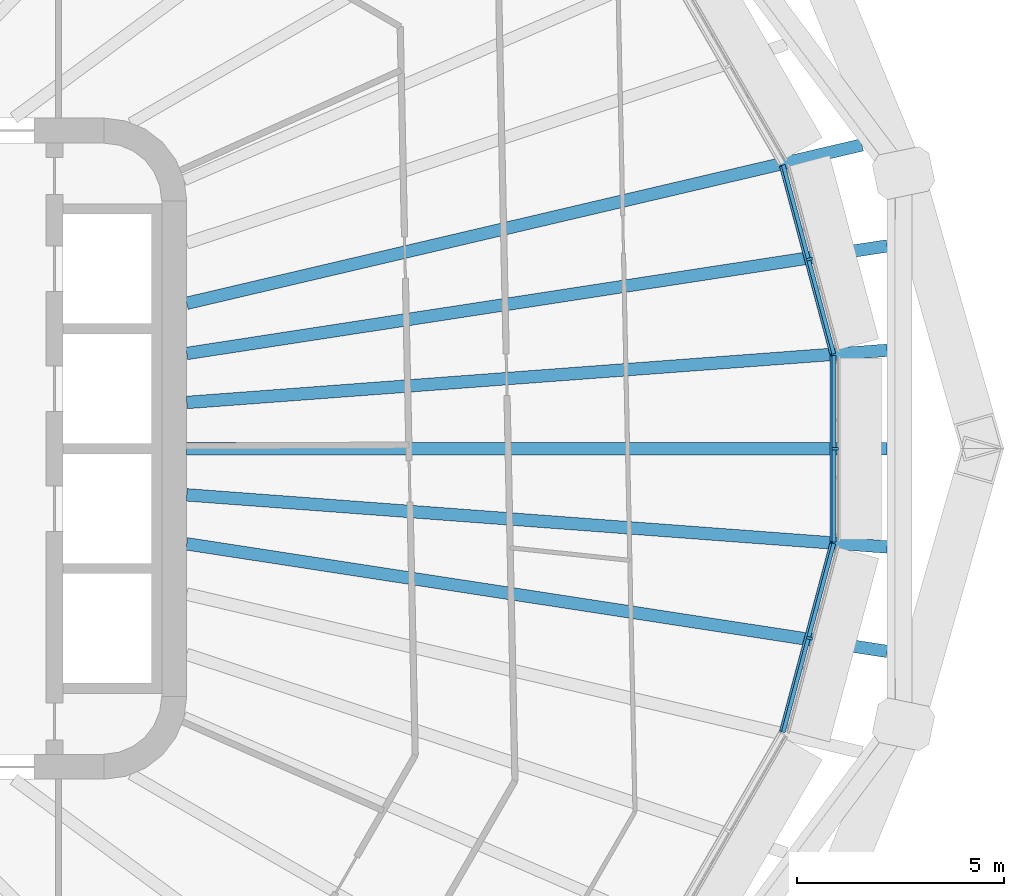
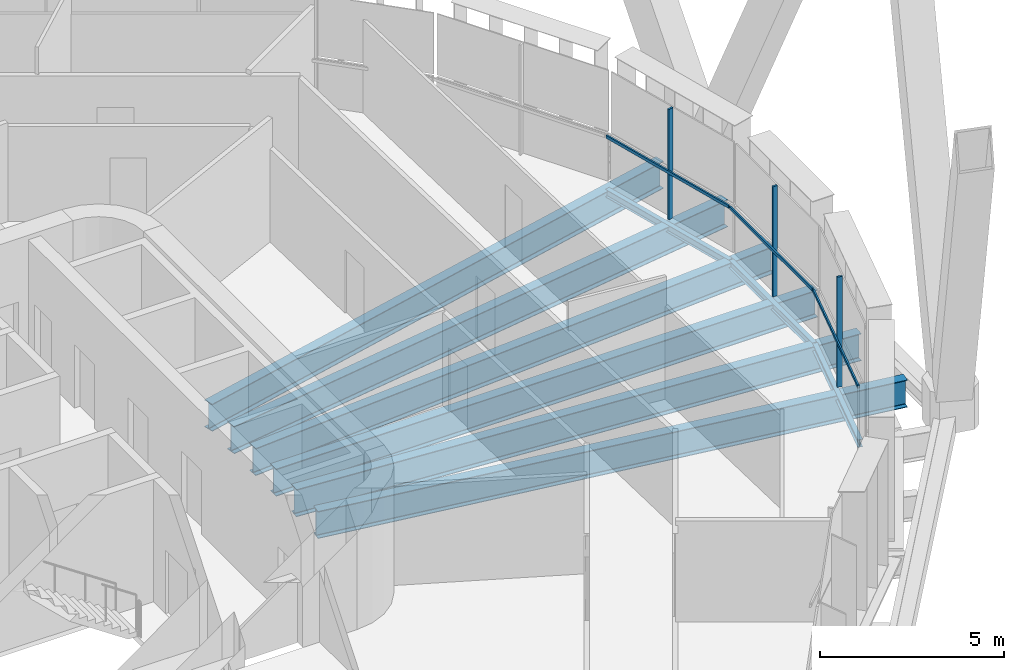
# One storey, part 6 of 25: 9 beams, 6 members, 3 elements without a shape of their own.
"""IFC4 building model written with IfcOpenShell, lengths in metres."""

from ifc_helpers import new_model, si_unit, direction, frame, origin, origin_2d, place, context, subcontext, project, spatial, rectangle, i_section, extrude, material, layer, layer_set, material_profile, profile_set, type_object, element, aggregate, save


model = new_model("IFC4")

# Units and contexts
model_context = context("Model", 3, precision=1e-05, world=origin(), true_north=direction((0.0, 1.0)))
body_context = subcontext(model_context, "Body", "Model", "MODEL_VIEW")
ifc_project = project(units=[si_unit("LENGTHUNIT", "METRE"), si_unit("AREAUNIT", "SQUARE_METRE"), si_unit("VOLUMEUNIT", "CUBIC_METRE"), si_unit("PLANEANGLEUNIT", "RADIAN"), si_unit("MASSUNIT", "GRAM", prefix="KILO")], contexts=[model_context])

# Site, building, storey
site_placement = place(None, origin())
site = spatial("IfcSite", under=ifc_project, at=site_placement, CompositionType="ELEMENT")
building_placement = place(site_placement, origin())
building = spatial("IfcBuilding", under=site, at=building_placement, Name="Sahrelin Media Tower", CompositionType="ELEMENT")
storey_placement = place(building_placement, frame((0.0, 0.0, 63.0)))
storey = spatial("IfcBuildingStorey", under=building, at=storey_placement, Name="L10", CompositionType="ELEMENT", Elevation=63.0)

# Beams
ifc_material_1 = material(Name="Steel S355", Category="steel")
ifc_material_profile_1 = material_profile(ifc_material_1, i_section(OverallWidth=0.14599609375, OverallDepth=0.25146484375, WebThickness=0.006103515625, FlangeThickness=0.008544921875, FilletRadius=0.007568359375, at=origin_2d()), Name="UB 254x146x31")
ifc_profile_set_1 = profile_set([ifc_material_profile_1], Name="Steel S355")
beam_type_1 = type_object("IfcBeamType", Name="Edge beam EB1", PredefinedType="BEAM", material=ifc_profile_set_1)
beam_1_placement = place(storey_placement, frame((30.640380859375, 2.260009765625, -0.275634765625), z_axis=(0.0, -1.0, 0.0), x_axis=(1.0, 0.0, 0.0)))
element("IfcBeam", 1, at=beam_1_placement, inside=storey, type_object=beam_type_1, Name="Edge beam L10-01", PredefinedType="BEAM", context=body_context, shape_type="SweptSolid", body=[
    extrude(i_section(OverallWidth=0.14599609375, OverallDepth=0.25146484375, WebThickness=0.006103515625, FlangeThickness=0.008544921875, FilletRadius=0.007568359375, at=origin_2d()), origin(), (0.0, 0.0, 1.0), 4.52001953125),
])
for number, where, z_axis, x_axis, name in (
    (2, (30.636474609375, -2.288818359375, -0.275634765625), (-0.258783372554, -0.965935384014, 0.0), (0.965935384014, -0.258783372554, 0.0), "Edge beam L10-02"),
    (3, (29.412109375, 6.85888671875, -0.275634765625), (0.258783372554, -0.965935384014, 0.0), (0.965935384014, 0.258783372554, 0.0), "Edge beam L10-24"),
):
    element("IfcBeam", number, at=place(storey_placement, frame(where, z_axis=z_axis, x_axis=x_axis)), inside=storey, type_object=beam_type_1, Name=name, PredefinedType="BEAM", context=body_context, shape_type="SweptSolid", body=[
        extrude(i_section(OverallWidth=0.14599609375, OverallDepth=0.25146484375, WebThickness=0.006103515625, FlangeThickness=0.008544921875, FilletRadius=0.007568359375, at=origin_2d()), origin(), (0.0, 0.0, 1.0), 4.731201171875),
    ])

# Curtain wall, member
ifc_material_2 = material(Name="Champagne anodised aluminium 6063-T6", Category="aluminium")
ifc_layer = layer(ifc_material_2, 0.14990234375)
ifc_layer_set = layer_set([ifc_layer], Name="Tower ribbon curtain wall")
curtain_wall_type = type_object("IfcCurtainWallType", Name="Tower ribbon curtain wall", PredefinedType="NOTDEFINED", material=ifc_layer_set)
curtain_wall_1_placement = place(storey_placement, frame((30.790283203125, 0.0, 0.0), z_axis=(0.0, 0.0, 1.0), x_axis=(1.0, 0.0, 0.0)))
curtain_wall_1 = element("IfcCurtainWall", 4, at=curtain_wall_1_placement, inside=storey, type_object=curtain_wall_type, Name="L10:CW:L10-00", PredefinedType="NOTDEFINED")
ifc_material_profile_2 = material_profile(ifc_material_2, rectangle(XDim=0.06005859375, YDim=0.14990234375, at=origin_2d()), Name="Mullion 60x150")
ifc_profile_set_2 = profile_set([ifc_material_profile_2], Name="Champagne anodised aluminium 6063-T6")
member_type_1 = type_object("IfcMemberType", Name="Mullion 60x150 CW1", PredefinedType="MULLION", material=ifc_profile_set_2)
member_1_placement = place(storey_placement, frame((30.6953125, 0.0, 0.0), z_axis=(0.0, 0.0, 1.0), x_axis=(0.0, 1.0, 0.0)))
member_1 = element("IfcMember", 5, at=member_1_placement, type_object=member_type_1, Name="L10:CWM:L10-00", PredefinedType="MULLION", context=body_context, shape_type="SweptSolid", body=[
    extrude(rectangle(XDim=0.06005859375, YDim=0.14990234375, at=origin_2d()), origin(), (0.0, 0.0, 1.0), 3.648681640625),
])

curtain_wall_2_placement = place(storey_placement, frame((30.169189453125, 4.612548828125, 0.0), z_axis=(0.0, 0.0, 1.0), x_axis=(1.0, 0.0, 0.0)))
curtain_wall_2 = element("IfcCurtainWall", 6, at=curtain_wall_2_placement, inside=storey, type_object=curtain_wall_type, Name="L10:CW:L10-01", PredefinedType="NOTDEFINED")
member_2_placement = place(storey_placement, frame((30.077392578125, 4.587890625, 0.0), z_axis=(0.0, 0.0, 1.0), x_axis=(-0.258820730961, 0.965925374563, 0.0)))
member_2 = element("IfcMember", 7, at=member_2_placement, type_object=member_type_1, Name="L10:CWM:L10-01", PredefinedType="MULLION", context=body_context, shape_type="SweptSolid", body=[
    extrude(rectangle(XDim=0.06005859375, YDim=0.14990234375, at=origin_2d()), origin(), (0.0, 0.0, 1.0), 3.648681640625),
])

curtain_wall_3_placement = place(storey_placement, frame((30.169189453125, -4.612548828125, 0.0), z_axis=(0.0, 0.0, 1.0), x_axis=(1.0, 0.0, 0.0)))
curtain_wall_3 = element("IfcCurtainWall", 8, at=curtain_wall_3_placement, inside=storey, type_object=curtain_wall_type, Name="L10:CW:L10-23", PredefinedType="NOTDEFINED")
member_3_placement = place(storey_placement, frame((30.077392578125, -4.587890625, 0.0), z_axis=(0.0, 0.0, 1.0), x_axis=(0.258820730961, 0.965925374563, 0.0)))
member_3 = element("IfcMember", 9, at=member_3_placement, type_object=member_type_1, Name="L10:CWM:L10-23", PredefinedType="MULLION", context=body_context, shape_type="SweptSolid", body=[
    extrude(rectangle(XDim=0.06005859375, YDim=0.14990234375, at=origin_2d()), origin(), (0.0, 0.0, 1.0), 3.648681640625),
])

# Beams
ifc_material_profile_3 = material_profile(ifc_material_1, i_section(OverallWidth=0.30322265625, OverallDepth=0.903076171875, WebThickness=0.01513671875, FlangeThickness=0.020263671875, FilletRadius=0.01904296875, at=origin_2d()), Name="UB 914x305x201")
ifc_profile_set_3 = profile_set([ifc_material_profile_3], Name="Steel S355")
beam_type_2 = type_object("IfcBeamType", Name="Radial primary beam PB11", PredefinedType="BEAM", material=ifc_profile_set_3)
beam_2_placement = place(storey_placement, frame((15.0, 1.117919921875, -0.6015625), z_axis=(0.997235845529, 0.074301200478, 0.0), x_axis=(-0.074301200478, 0.997235845529, 0.0)))
element("IfcBeam", 10, at=beam_2_placement, inside=storey, type_object=beam_type_2, Name="Radial beam L10-01", PredefinedType="BEAM", context=body_context, shape_type="SweptSolid", body=[
    extrude(i_section(OverallWidth=0.30322265625, OverallDepth=0.903076171875, WebThickness=0.01513671875, FlangeThickness=0.020263671875, FilletRadius=0.01904296875, at=origin_2d()), origin(), (0.0, 0.0, 1.0), 17.000732421875),
])
beam_3_placement = place(storey_placement, frame((15.0, 3.518310546875, -0.6015625), z_axis=(0.973576565614, 0.228360834837, 0.0), x_axis=(-0.228360834837, 0.973576565614, 0.0)))
element("IfcBeam", 11, at=beam_3_placement, inside=storey, type_object=beam_type_2, Name="Radial beam L10-02", PredefinedType="BEAM", context=body_context, shape_type="SweptSolid", body=[
    extrude(i_section(OverallWidth=0.30322265625, OverallDepth=0.903076171875, WebThickness=0.01513671875, FlangeThickness=0.020263671875, FilletRadius=0.01904296875, at=origin_2d()), origin(), (0.0, 0.0, 1.0), 16.7880859375),
])
beam_4_placement = place(storey_placement, frame((15.0, -1.117919921875, -0.6015625), z_axis=(0.997235845529, -0.074301200478, 0.0), x_axis=(0.074301200478, 0.997235845529, 0.0)))
element("IfcBeam", 12, at=beam_4_placement, inside=storey, type_object=beam_type_2, Name="Radial beam L10-24", PredefinedType="BEAM", context=body_context, shape_type="SweptSolid", body=[
    extrude(i_section(OverallWidth=0.30322265625, OverallDepth=0.903076171875, WebThickness=0.01513671875, FlangeThickness=0.020263671875, FilletRadius=0.01904296875, at=origin_2d()), origin(), (0.0, 0.0, 1.0), 17.000732421875),
])
ifc_material_profile_4 = material_profile(ifc_material_1, i_section(OverallWidth=0.30322265625, OverallDepth=0.903076171875, WebThickness=0.01513671875, FlangeThickness=0.020263671875, FilletRadius=0.01904296875, at=origin_2d()), Name="UB 914x305x201")
ifc_profile_set_4 = profile_set([ifc_material_profile_4], Name="Steel S355")
beam_type_3 = type_object("IfcBeamType", Name="Radial secondary beam SB11", PredefinedType="BEAM", material=ifc_profile_set_4)
for number, where, z_axis, x_axis, name in (
    (13, (15.0, 2.3037109375, -0.6015625), (0.988411320154, 0.151799414332, 0.0), (-0.151799414332, 0.988411320154, 0.0), "Secondary beam L10-01"),
    (14, (15.0, -2.3037109375, -0.6015625), (0.988411320154, -0.151799414332, 0.0), (0.151799414332, 0.988411320154, 0.0), "Secondary beam L10-23"),
):
    element("IfcBeam", number, at=place(storey_placement, frame(where, z_axis=z_axis, x_axis=x_axis)), inside=storey, type_object=beam_type_3, Name=name, PredefinedType="BEAM", context=body_context, shape_type="SweptSolid", body=[
        extrude(i_section(OverallWidth=0.30322265625, OverallDepth=0.903076171875, WebThickness=0.01513671875, FlangeThickness=0.020263671875, FilletRadius=0.01904296875, at=origin_2d()), origin(), (0.0, 0.0, 1.0), 17.152587890625),
    ])
beam_5_placement = place(storey_placement, frame((15.0, 0.0, -0.6015625), z_axis=(1.0, 0.0, 0.0), x_axis=(0.0, 1.0, 0.0)))
element("IfcBeam", 15, at=beam_5_placement, inside=storey, type_object=beam_type_3, Name="Secondary beam L10-24", PredefinedType="BEAM", context=body_context, shape_type="SweptSolid", body=[
    extrude(i_section(OverallWidth=0.30322265625, OverallDepth=0.903076171875, WebThickness=0.01513671875, FlangeThickness=0.020263671875, FilletRadius=0.01904296875, at=origin_2d()), origin(), (0.0, 0.0, 1.0), 16.953857421875),
])

# Member
ifc_material_profile_5 = material_profile(ifc_material_2, rectangle(XDim=0.050048828125, YDim=0.10009765625, at=origin_2d()), Name="Transom 50x100")
ifc_profile_set_5 = profile_set([ifc_material_profile_5], Name="Champagne anodised aluminium 6063-T6")
member_type_2 = type_object("IfcMemberType", Name="Transom 50x100 CW1", PredefinedType="USERDEFINED", material=ifc_profile_set_5)
member_4_placement = place(storey_placement, frame((30.59521484375, -2.244384765625, 1.60009765625), z_axis=(0.0, 1.0, 0.0), x_axis=(-1.0, 0.0, 0.0)))
member_4 = element("IfcMember", 16, at=member_4_placement, type_object=member_type_2, Name="L10:CWT:L10-00", ObjectType="TRANSOM", PredefinedType="USERDEFINED", context=body_context, shape_type="SweptSolid", body=[
    extrude(rectangle(XDim=0.050048828125, YDim=0.10009765625, at=origin_2d()), origin(), (0.0, 0.0, 1.0), 4.48876953125),
])

aggregate(curtain_wall_1, [member_1, member_4])

member_5_placement = place(storey_placement, frame((30.589111328125, 2.292236328125, 1.60009765625), z_axis=(-0.258855527471, 0.965916050129, 0.0), x_axis=(-0.965916050129, -0.258855527471, 0.0)))
member_5 = element("IfcMember", 17, at=member_5_placement, type_object=member_type_2, Name="L10:CWT:L10-01", ObjectType="TRANSOM", PredefinedType="USERDEFINED", context=body_context, shape_type="SweptSolid", body=[
    extrude(rectangle(XDim=0.050048828125, YDim=0.10009765625, at=origin_2d()), origin(), (0.0, 0.0, 1.0), 4.69970703125),
])

aggregate(curtain_wall_2, [member_2, member_5])

member_6_placement = place(storey_placement, frame((29.37255859375, -6.831787109375, 1.60009765625), z_axis=(0.258855527471, 0.965916050129, 0.0), x_axis=(-0.965916050129, 0.258855527471, 0.0)))
member_6 = element("IfcMember", 18, at=member_6_placement, type_object=member_type_2, Name="L10:CWT:L10-23", ObjectType="TRANSOM", PredefinedType="USERDEFINED", context=body_context, shape_type="SweptSolid", body=[
    extrude(rectangle(XDim=0.050048828125, YDim=0.10009765625, at=origin_2d()), origin(), (0.0, 0.0, 1.0), 4.69970703125),
])

aggregate(curtain_wall_3, [member_3, member_6])

save(model, "model.ifc")
